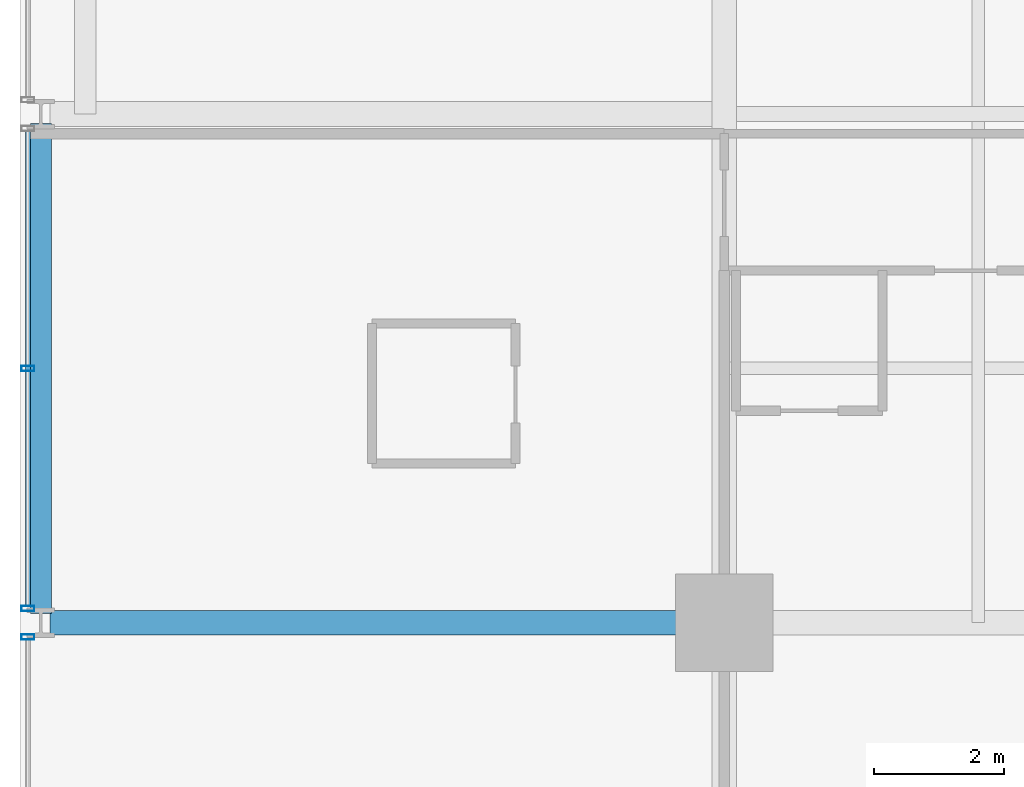
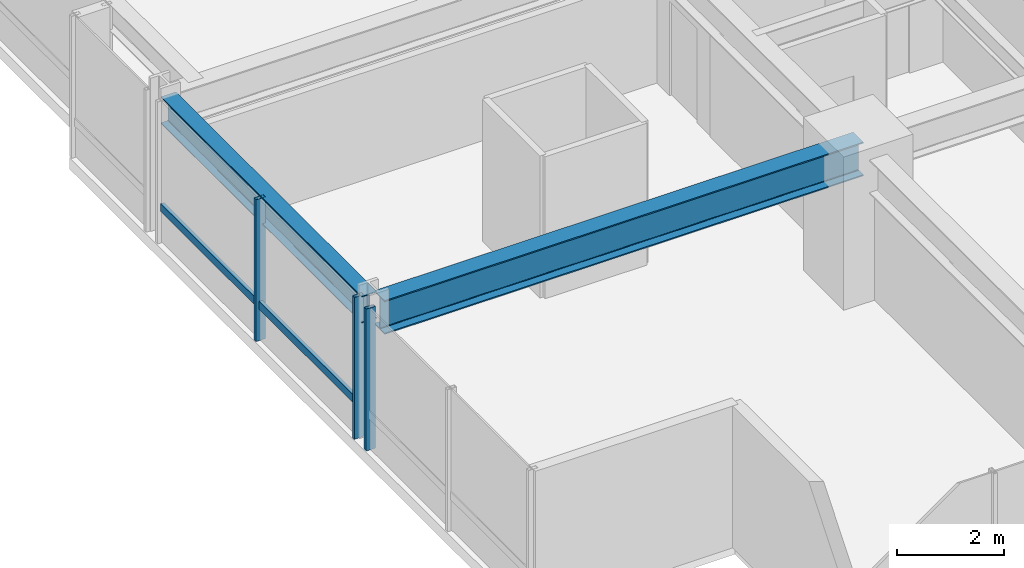
# One storey, part 4 of 34: 4 members, 2 beams, 2 elements without a shape of their own.
"""IFC4 building model written with IfcOpenShell, lengths in metres."""

from ifc_helpers import new_model, si_unit, direction, frame, origin, origin_2d, place, context, subcontext, project, spatial, hollow_rectangle, i_section, extrude, material, layer, layer_set, material_profile, profile_set, type_object, element, aggregate, save


model = new_model("IFC4")

# Units and contexts
model_context = context("Model", 3, precision=1e-05, world=origin(), true_north=direction((0.0, 1.0)))
body_context = subcontext(model_context, "Body", "Model", "MODEL_VIEW")
ifc_project = project(units=[si_unit("LENGTHUNIT", "METRE"), si_unit("AREAUNIT", "SQUARE_METRE"), si_unit("VOLUMEUNIT", "CUBIC_METRE"), si_unit("PLANEANGLEUNIT", "RADIAN"), si_unit("MASSUNIT", "GRAM", prefix="KILO")], contexts=[model_context])

# Site, building, storey
site_placement = place(None, origin())
site = spatial("IfcSite", under=ifc_project, at=site_placement, CompositionType="ELEMENT")
building_placement = place(site_placement, origin())
building = spatial("IfcBuilding", under=site, at=building_placement, Name="Drelvath Grand Hotel", CompositionType="ELEMENT")
storey_placement = place(building_placement, frame((0.0, 0.0, 116.300048828125)))
storey = spatial("IfcBuildingStorey", under=building, at=storey_placement, Name="L29", CompositionType="ELEMENT", Elevation=116.300048828125)

# Curtain wall, member
ifc_material_1 = material(Name="Champagne Bronze Anodised Aluminium Frame", Category="aluminium")
ifc_layer = layer(ifc_material_1, 0.199951171875)
ifc_layer_set = layer_set([ifc_layer], Name="Champagne Bronze Anodised Aluminium Frame")
curtain_wall_type = type_object("IfcCurtainWallType", Name="Stick Curtain Wall CW-03 Champagne Bronze Mid-Rise", PredefinedType="NOTDEFINED", material=ifc_layer_set)
curtain_wall_1_placement = place(storey_placement, origin())
curtain_wall_1 = element("IfcCurtainWall", 1, at=curtain_wall_1_placement, inside=storey, type_object=curtain_wall_type, Name="L29 CW-03 Curtain Wall CW03-L29-WS2", PredefinedType="NOTDEFINED")
ifc_material_profile_1 = material_profile(ifc_material_1, hollow_rectangle(XDim=0.074951171875, YDim=0.179931640625, WallThickness=0.0048828125, at=origin_2d()), Name="HSS180X75X5")
ifc_profile_set_1 = profile_set([ifc_material_profile_1], Name="Champagne Bronze Anodised Aluminium Frame")
member_type_1 = type_object("IfcMemberType", Name="Curtain Wall Horizontal Transom CW-03 HSS180X75X5", PredefinedType="USERDEFINED", material=ifc_profile_set_1)
member_1_placement = place(storey_placement, frame((-26.8798828125, 11.0595703125, 0.81005859375), z_axis=(0.0, 1.0, 0.0), x_axis=(-1.0, 0.0, 0.0)))
member_1 = element("IfcMember", 2, at=member_1_placement, type_object=member_type_1, Name="CW03-L29-WS2 Sill Transom", ObjectType="TRANSOM", PredefinedType="USERDEFINED", context=body_context, shape_type="SweptSolid", body=[
    extrude(hollow_rectangle(XDim=0.074951171875, YDim=0.179931640625, WallThickness=0.0048828125, at=origin_2d()), origin(), (0.0, 0.0, 1.0), 7.28076171875),
])

curtain_wall_2_placement = place(storey_placement, origin())
curtain_wall_2 = element("IfcCurtainWall", 3, at=curtain_wall_2_placement, inside=storey, type_object=curtain_wall_type, Name="L29 CW-03 Curtain Wall CW03-L29-WS1", PredefinedType="NOTDEFINED")
ifc_material_profile_2 = material_profile(ifc_material_1, hollow_rectangle(XDim=0.080078125, YDim=0.199951171875, WallThickness=0.0048828125, at=origin_2d()), Name="HSS200X80X5")
ifc_profile_set_2 = profile_set([ifc_material_profile_2], Name="Champagne Bronze Anodised Aluminium Frame")
member_type_2 = type_object("IfcMemberType", Name="Curtain Wall Vertical Mullion CW-03 HSS200X80X5", PredefinedType="MULLION", material=ifc_profile_set_2)
member_2_placement = place(storey_placement, frame((-26.8798828125, 10.580322265625, 0.0), z_axis=(0.0, 0.0, 1.0), x_axis=(0.0, 1.0, 0.0)))
member_2 = element("IfcMember", 4, at=member_2_placement, type_object=member_type_2, Name="CW03-L29-WS1 Mullion 3", PredefinedType="MULLION", context=body_context, shape_type="SweptSolid", body=[
    extrude(hollow_rectangle(XDim=0.080078125, YDim=0.199951171875, WallThickness=0.0048828125, at=origin_2d()), origin(), (0.0, 0.0, 1.0), 3.239990234375),
])
aggregate(curtain_wall_2, [member_2])

# Member
member_3_placement = place(storey_placement, frame((-26.8798828125, 11.01953125, 0.0), z_axis=(0.0, 0.0, 1.0), x_axis=(0.0, 1.0, 0.0)))
member_3 = element("IfcMember", 5, at=member_3_placement, type_object=member_type_2, Name="CW03-L29-WS2 Mullion 1", PredefinedType="MULLION", context=body_context, shape_type="SweptSolid", body=[
    extrude(hollow_rectangle(XDim=0.080078125, YDim=0.199951171875, WallThickness=0.0048828125, at=origin_2d()), origin(), (0.0, 0.0, 1.0), 3.239990234375),
])

member_4_placement = place(storey_placement, frame((-26.8798828125, 14.699951171875, 0.0), z_axis=(0.0, 0.0, 1.0), x_axis=(0.0, 1.0, 0.0)))
member_4 = element("IfcMember", 6, at=member_4_placement, type_object=member_type_2, Name="CW03-L29-WS2 Mullion 2", PredefinedType="MULLION", context=body_context, shape_type="SweptSolid", body=[
    extrude(hollow_rectangle(XDim=0.080078125, YDim=0.199951171875, WallThickness=0.0048828125, at=origin_2d()), origin(), (0.0, 0.0, 1.0), 3.239990234375),
])

aggregate(curtain_wall_1, [member_3, member_4, member_1])

# Beams
ifc_material_2 = material(Name="Steel ASTM A992 Gr 50", Category="steel")
ifc_material_profile_3 = material_profile(ifc_material_2, i_section(OverallWidth=0.323974609375, OverallDepth=0.611083984375, WebThickness=0.0126953125, FlangeThickness=0.01904296875, FilletRadius=0.02197265625, at=origin_2d()), Name="W24X104")
ifc_profile_set_3 = profile_set([ifc_material_profile_3], Name="Steel ASTM A992 Gr 50")
beam_type_1 = type_object("IfcBeamType", Name="Perimeter Spandrel Beam W24X104", PredefinedType="SPANDREL", material=ifc_profile_set_3)
beam_1_placement = place(storey_placement, frame((-26.679931640625, 10.93994140625, 2.9345703125), z_axis=(0.0, 1.0, 0.0), x_axis=(-1.0, 0.0, 0.0)))
element("IfcBeam", 7, at=beam_1_placement, inside=storey, type_object=beam_type_1, Name="L29 Spandrel West S", PredefinedType="SPANDREL", context=body_context, shape_type="SweptSolid", body=[
    extrude(i_section(OverallWidth=0.323974609375, OverallDepth=0.611083984375, WebThickness=0.0126953125, FlangeThickness=0.01904296875, FilletRadius=0.02197265625, at=origin_2d()), origin(), (0.0, 0.0, 1.0), 7.52001953125),
])
ifc_material_profile_4 = material_profile(ifc_material_2, i_section(OverallWidth=0.380615234375, OverallDepth=0.773193359375, WebThickness=0.0166015625, FlangeThickness=0.027099609375, FilletRadius=0.02490234375, at=origin_2d()), Name="W30X173")
ifc_profile_set_4 = profile_set([ifc_material_profile_4], Name="Steel ASTM A992 Gr 50")
beam_type_2 = type_object("IfcBeamType", Name="Primary Floor Girder W30X173", PredefinedType="BEAM", material=ifc_profile_set_4)
beam_2_placement = place(storey_placement, frame((-26.5400390625, 10.800048828125, 2.853271484375), z_axis=(1.0, 0.0, 0.0), x_axis=(0.0, 1.0, 0.0)))
element("IfcBeam", 8, at=beam_2_placement, inside=storey, type_object=beam_type_2, Name="L29 West Grid Girder C", PredefinedType="BEAM", context=body_context, shape_type="SweptSolid", body=[
    extrude(i_section(OverallWidth=0.380615234375, OverallDepth=0.773193359375, WebThickness=0.0166015625, FlangeThickness=0.027099609375, FilletRadius=0.02490234375, at=origin_2d()), origin(), (0.0, 0.0, 1.0), 10.340087890625),
])

save(model, "model.ifc")
